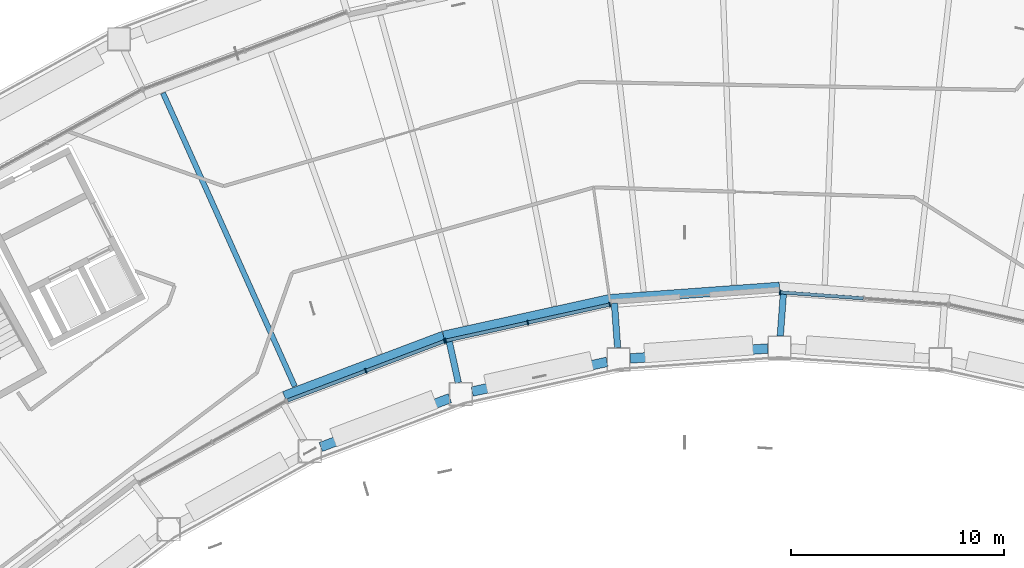
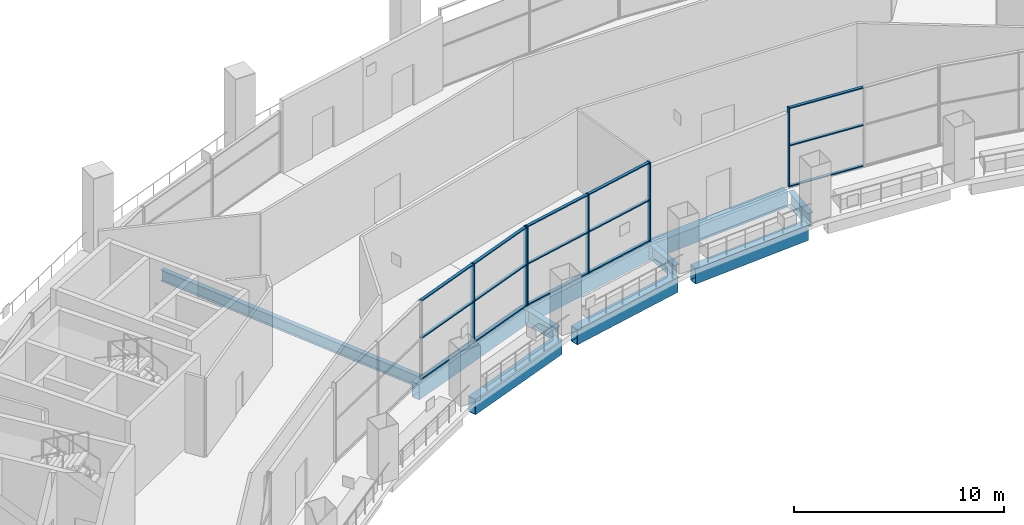
# One storey, part 4 of 28: 21 members, 10 beams, 3 elements without a shape of their own.
"""IFC4 building model written with IfcOpenShell, lengths in metres."""

import ifcopenshell
import ifcopenshell.guid

model = None  # the IFC model being written
_history = None  # IfcOwnerHistory: only IFC2X3 demands one
_inside = {}  # id of a spatial element -> (the spatial element, [elements in it])
_under = {}  # id of a project, library or spatial element -> (it, [spatial elements below it])
_declared = {}  # id of a project -> (the project, [libraries it declares])
_typed = {}  # id of a type object -> (the type object, [elements of that type])
_made_of = {}  # id of a material, layer set ... -> (it, [elements and type objects made of it])


def new_model(schema):
    """Start an empty IFC model of exactly this schema.

    Asked for "IFC4X3", IfcOpenShell would pick the latest addendum, in which some entities
    have other attributes; the version numbers below select the first issue.
    IFC2X3 requires an IfcOwnerHistory on every rooted entity: one is made here for all.
    """
    global model, _history
    if schema == "IFC4X3":
        model = ifcopenshell.file(schema_version=(4, 3, 0, 0))
    else:
        model = ifcopenshell.file(schema=schema)
    _inside.clear()
    _under.clear()
    _declared.clear()
    _typed.clear()
    _made_of.clear()
    _history = None
    if model.schema == "IFC2X3":
        org = make("IfcOrganization", Name="unknown")
        user = make(
            "IfcPersonAndOrganization",
            ThePerson=make("IfcPerson", FamilyName="unknown"),
            TheOrganization=org,
        )
        app = make(
            "IfcApplication",
            ApplicationDeveloper=org,
            Version="unknown",
            ApplicationFullName="unknown",
            ApplicationIdentifier="unknown",
        )
        _history = make(
            "IfcOwnerHistory",
            OwningUser=user,
            OwningApplication=app,
            ChangeAction="ADDED",
            CreationDate=0,
        )
    return model


def make(cls, **values):
    """One entity of the class cls with the attributes given. An attribute that is None is left unset."""
    return model.create_entity(
        cls, **{name: value for name, value in values.items() if value is not None}
    )


def rooted(cls, **values):
    """An entity with a GlobalId (a new one), such as an element, a storey or a relation."""
    return make(cls, GlobalId=ifcopenshell.guid.new(), OwnerHistory=_history, **values)


def si_unit(unit_type, name, prefix=None):
    """IfcSIUnit, for example si_unit("LENGTHUNIT", "METRE", prefix="MILLI")."""
    return make("IfcSIUnit", UnitType=unit_type, Prefix=prefix, Name=name)


def assignment(units):
    """IfcUnitAssignment: the units of a project."""
    return None if units is None else make("IfcUnitAssignment", Units=units)


def point(xyz):
    """IfcCartesianPoint."""
    return None if xyz is None else make("IfcCartesianPoint", Coordinates=xyz)


def direction(xyz):
    """IfcDirection."""
    return None if xyz is None else make("IfcDirection", DirectionRatios=xyz)


def frame(location, z_axis=None, x_axis=None):
    """IfcAxis2Placement3D, a coordinate frame: its origin and axes. An axis left out is left unset."""
    return make(
        "IfcAxis2Placement3D",
        Location=point(location),
        Axis=direction(z_axis),
        RefDirection=direction(x_axis),
    )


def frame_2d(location, x_axis=None):
    """IfcAxis2Placement2D, a coordinate frame in the plane: its origin and x axis."""
    return make(
        "IfcAxis2Placement2D", Location=point(location), RefDirection=direction(x_axis)
    )


def origin():
    """The frame at (0, 0, 0) with its axes left unset."""
    return frame((0.0, 0.0, 0.0))


def origin_2d():
    """The frame at (0, 0) in the plane with its x axis left unset."""
    return frame_2d((0.0, 0.0))


def place(relative_to, where):
    """IfcLocalPlacement: puts the frame where relative to a parent placement (None: the world)."""
    return make(
        "IfcLocalPlacement", PlacementRelTo=relative_to, RelativePlacement=where
    )


def context(
    kind, dimensions, precision=None, world=None, true_north=None, identifier=None
):
    """IfcGeometricRepresentationContext, for example the 3D "Model" context."""
    return make(
        "IfcGeometricRepresentationContext",
        ContextIdentifier=identifier,
        ContextType=kind,
        CoordinateSpaceDimension=dimensions,
        Precision=precision,
        WorldCoordinateSystem=world,
        TrueNorth=true_north,
    )


def subcontext(parent, identifier, kind, view, scale=None):
    """IfcGeometricRepresentationSubContext, for example "Body" below "Model"."""
    return make(
        "IfcGeometricRepresentationSubContext",
        ContextIdentifier=identifier,
        ContextType=kind,
        ParentContext=parent,
        TargetScale=scale,
        TargetView=view,
    )


def project(units=None, contexts=None):
    """IfcProject with its units and contexts."""
    return rooted(
        "IfcProject",
        Name="project",
        RepresentationContexts=contexts,
        UnitsInContext=assignment(units),
    )


def spatial(cls, under=None, at=None, **own):
    """A site, building, storey or space (cls), placed at a placement, below another one or the project."""
    s = rooted(cls, ObjectPlacement=at, **own)
    if under is not None:
        _under.setdefault(under.id(), (under, []))[1].append(s)
    return s


def profile(cls, at=None, kind="AREA", **sizes):
    """A parametric profile (cls). Its sizes go by their IFC names, for example OverallWidth=200.0."""
    return make(cls, ProfileType=kind, Position=at, **sizes)


def rectangle(**sizes):
    """IfcRectangleProfileDef."""
    return profile("IfcRectangleProfileDef", **sizes)


def hollow_rectangle(**sizes):
    """IfcRectangleHollowProfileDef."""
    return profile("IfcRectangleHollowProfileDef", **sizes)


def i_section(**sizes):
    """IfcIShapeProfileDef."""
    return profile("IfcIShapeProfileDef", **sizes)


def extrude(swept, where, along, depth):
    """IfcExtrudedAreaSolid: the profile swept, set in the frame where, extruded along a direction by depth."""
    return make(
        "IfcExtrudedAreaSolid",
        SweptArea=swept,
        Position=where,
        ExtrudedDirection=direction(along),
        Depth=depth,
    )


def shape(context_of_items, identifier, shape_type, items):
    """IfcShapeRepresentation: the items that make up one representation, for example the "Body"."""
    return make(
        "IfcShapeRepresentation",
        ContextOfItems=context_of_items,
        RepresentationIdentifier=identifier,
        RepresentationType=shape_type,
        Items=items,
    )


def material(Name=None, Category=None):
    """IfcMaterial."""
    return make("IfcMaterial", Name=Name, Category=Category)


def layer(
    of_material, thickness, ventilated=None, Name=None, Category=None, Priority=None
):
    """IfcMaterialLayer: one layer of a wall or slab, of a material (None: an air gap)."""
    return make(
        "IfcMaterialLayer",
        Material=of_material,
        LayerThickness=thickness,
        IsVentilated=ventilated,
        Name=Name,
        Category=Category,
        Priority=Priority,
    )


def layer_set(layers, Name=None):
    """IfcMaterialLayerSet."""
    return make("IfcMaterialLayerSet", MaterialLayers=layers, LayerSetName=Name)


def material_profile(
    of_material, cross_section, Name=None, Category=None, Priority=None
):
    """IfcMaterialProfile: a cross section and its material."""
    return make(
        "IfcMaterialProfile",
        Name=Name,
        Material=of_material,
        Profile=cross_section,
        Priority=Priority,
        Category=Category,
    )


def profile_set(profiles, Name=None, composite=None):
    """IfcMaterialProfileSet."""
    return make(
        "IfcMaterialProfileSet",
        Name=Name,
        MaterialProfiles=profiles,
        CompositeProfile=composite,
    )


def made_of(thing, what):
    """Note that an element or type object is made of a material, layer set ...; save() writes the relation."""
    if what is not None:
        _made_of.setdefault(what.id(), (what, []))[1].append(thing)
    return thing


def type_object(cls, material=None, **own):
    """A type object (cls), such as IfcWallType, which elements share."""
    return made_of(rooted(cls, **own), material)


def element(
    cls,
    number,
    at=None,
    inside=None,
    cuts=None,
    type_object=None,
    material=None,
    context=None,
    identifier="Body",
    shape_type=None,
    held_by="IfcProductDefinitionShape",
    body=None,
    shapes=None,
    **own,
):
    """One element of the class cls, such as IfcWall. Its Tag is "e" and its number.

    at: its placement. inside: the storey or other place that contains it. cuts: it is an
    opening in that element (IfcRelVoidsElement). A single representation is given by context,
    identifier, shape_type and body (its items); several are given by shapes. held_by: the class
    of the entity that holds the representations. save() writes the other relations.
    """
    e = rooted(cls, Tag="e%d" % number, ObjectPlacement=at, **own)
    if body is not None:
        shapes = [shape(context, identifier, shape_type, body)]
    if shapes is not None:
        e.Representation = make(held_by, Representations=shapes)
    if inside is not None:
        _inside.setdefault(inside.id(), (inside, []))[1].append(e)
    if cuts is not None:
        rooted(
            "IfcRelVoidsElement", RelatingBuildingElement=cuts, RelatedOpeningElement=e
        )
    if type_object is not None:
        _typed.setdefault(type_object.id(), (type_object, []))[1].append(e)
    return made_of(e, material)


def aggregate(whole, parts):
    """IfcRelAggregates: a whole, such as a stair, and the parts it consists of."""
    return rooted("IfcRelAggregates", RelatingObject=whole, RelatedObjects=parts)


def save(model, path):
    """Write the relations noted so far, then the file.

    IfcRelAggregates (storeys below a building ...), IfcRelContainedInSpatialStructure (elements
    in a storey), IfcRelDefinesByType, IfcRelAssociatesMaterial and IfcRelDeclares: one each for
    every whole, place, type object, material and project.
    """
    for whole, parts in _under.values():
        aggregate(whole, parts)
    for where, things in _inside.values():
        rooted(
            "IfcRelContainedInSpatialStructure",
            RelatedElements=things,
            RelatingStructure=where,
        )
    for kind, things in _typed.values():
        rooted("IfcRelDefinesByType", RelatedObjects=things, RelatingType=kind)
    for what, things in _made_of.values():
        rooted("IfcRelAssociatesMaterial", RelatedObjects=things, RelatingMaterial=what)
    for by, libraries in _declared.values():
        rooted("IfcRelDeclares", RelatingContext=by, RelatedDefinitions=libraries)
    model.write(path)


model = new_model("IFC4")

# Units and contexts
model_context = context("Model", 3, precision=1e-05, world=origin(), true_north=direction((0.0, 1.0)))
body_context = subcontext(model_context, "Body", "Model", "MODEL_VIEW")
ifc_project = project(units=[si_unit("LENGTHUNIT", "METRE"), si_unit("AREAUNIT", "SQUARE_METRE"), si_unit("VOLUMEUNIT", "CUBIC_METRE"), si_unit("PLANEANGLEUNIT", "RADIAN"), si_unit("MASSUNIT", "GRAM", prefix="KILO")], contexts=[model_context])

# Site, building, storey
site_placement = place(None, origin())
site = spatial("IfcSite", under=ifc_project, at=site_placement, CompositionType="ELEMENT")
building_placement = place(site_placement, origin())
building = spatial("IfcBuilding", under=site, at=building_placement, Name="Tuul Gate Civic Tower", CompositionType="ELEMENT")
storey_placement = place(building_placement, frame((0.0, 0.0, 128.699951171875)))
storey = spatial("IfcBuildingStorey", under=building, at=storey_placement, Name="Sky garden level 1", CompositionType="ELEMENT", Elevation=128.699951171875)

# Curtain wall, members
ifc_material_1 = material(Name="Aluminium", Category="aluminium")
ifc_layer = layer(ifc_material_1, 0.199951171875)
ifc_layer_set = layer_set([ifc_layer], Name="Aluminium")
curtain_wall_type = type_object("IfcCurtainWallType", Name="Curtain wall CW3", PredefinedType="NOTDEFINED", material=ifc_layer_set)
curtain_wall_1_placement = place(storey_placement, origin())
curtain_wall_1 = element("IfcCurtainWall", 1, at=curtain_wall_1_placement, inside=storey, type_object=curtain_wall_type, Name="Curtain wall CW3", PredefinedType="NOTDEFINED")
ifc_material_2 = material(Name="Aluminium", Category="aluminium")
ifc_material_profile_1 = material_profile(ifc_material_2, rectangle(XDim=0.219970703125, YDim=0.06005859375, at=origin_2d()), Name="CW3 mullion")
ifc_profile_set_1 = profile_set([ifc_material_profile_1], Name="Aluminium")
member_type_1 = type_object("IfcMemberType", Name="CW3 mullion", PredefinedType="MULLION", material=ifc_profile_set_1)
member_1_placement = place(storey_placement, frame((-9.626953125, -8.762451171875, 0.0), z_axis=(0.0, 0.0, 1.0), x_axis=(-0.353734858569, 0.935345738127, 0.0)))
member_1 = element("IfcMember", 2, at=member_1_placement, type_object=member_type_1, Name="Mullion", PredefinedType="MULLION", context=body_context, shape_type="SweptSolid", body=[
    extrude(rectangle(XDim=0.219970703125, YDim=0.06005859375, at=origin_2d()), origin(), (0.0, 0.0, 1.0), 4.60009765625),
])
member_2_placement = place(storey_placement, frame((-5.927978515625, -7.363525390625, 0.0), z_axis=(0.0, 0.0, 1.0), x_axis=(-0.353734858569, 0.935345738127, 0.0)))
member_2 = element("IfcMember", 3, at=member_2_placement, type_object=member_type_1, Name="Mullion", PredefinedType="MULLION", context=body_context, shape_type="SweptSolid", body=[
    extrude(rectangle(XDim=0.219970703125, YDim=0.06005859375, at=origin_2d()), origin(), (0.0, 0.0, 1.0), 4.60009765625),
])

curtain_wall_2_placement = place(storey_placement, origin())
curtain_wall_2 = element("IfcCurtainWall", 4, at=curtain_wall_2_placement, inside=storey, type_object=curtain_wall_type, Name="Curtain wall CW3", PredefinedType="NOTDEFINED")
member_3_placement = place(storey_placement, frame((-5.87060546875, -7.346435546875, 0.0), z_axis=(0.0, 0.0, 1.0), x_axis=(-0.215242449721, 0.976560642171, 0.0)))
member_3 = element("IfcMember", 5, at=member_3_placement, type_object=member_type_1, Name="Mullion", PredefinedType="MULLION", context=body_context, shape_type="SweptSolid", body=[
    extrude(rectangle(XDim=0.219970703125, YDim=0.06005859375, at=origin_2d()), origin(), (0.0, 0.0, 1.0), 4.60009765625),
])
member_4_placement = place(storey_placement, frame((-2.009521484375, -6.49560546875, 0.0), z_axis=(0.0, 0.0, 1.0), x_axis=(-0.215242449721, 0.976560642171, 0.0)))
member_4 = element("IfcMember", 6, at=member_4_placement, type_object=member_type_1, Name="Mullion", PredefinedType="MULLION", context=body_context, shape_type="SweptSolid", body=[
    extrude(rectangle(XDim=0.219970703125, YDim=0.06005859375, at=origin_2d()), origin(), (0.0, 0.0, 1.0), 4.60009765625),
])
member_5_placement = place(storey_placement, frame((1.851806640625, -5.64453125, 0.0), z_axis=(0.0, 0.0, 1.0), x_axis=(-0.215242449721, 0.976560642171, 0.0)))
member_5 = element("IfcMember", 7, at=member_5_placement, type_object=member_type_1, Name="Mullion", PredefinedType="MULLION", context=body_context, shape_type="SweptSolid", body=[
    extrude(rectangle(XDim=0.219970703125, YDim=0.06005859375, at=origin_2d()), origin(), (0.0, 0.0, 1.0), 4.60009765625),
])

# Curtain wall, member
curtain_wall_3_placement = place(storey_placement, origin())
curtain_wall_3 = element("IfcCurtainWall", 8, at=curtain_wall_3_placement, inside=storey, type_object=curtain_wall_type, Name="Curtain wall CW3", PredefinedType="NOTDEFINED")
member_6_placement = place(storey_placement, frame((9.85888671875, -5.065185546875, 0.0), z_axis=(0.0, 0.0, 1.0), x_axis=(0.072165694963, 0.997392657117, 0.0)))
member_6 = element("IfcMember", 9, at=member_6_placement, type_object=member_type_1, Name="Mullion", PredefinedType="MULLION", context=body_context, shape_type="SweptSolid", body=[
    extrude(rectangle(XDim=0.219970703125, YDim=0.06005859375, at=origin_2d()), origin(), (0.0, 0.0, 1.0), 4.60009765625),
])

# Member
ifc_material_3 = material(Name="Aluminium", Category="aluminium")
ifc_material_profile_2 = material_profile(ifc_material_3, rectangle(XDim=0.159912109375, YDim=0.06005859375, at=origin_2d()), Name="CW3 transom")
ifc_profile_set_2 = profile_set([ifc_material_profile_2], Name="Aluminium")
member_type_2 = type_object("IfcMemberType", Name="CW3 transom", PredefinedType="USERDEFINED", material=ifc_profile_set_2)
member_7_placement = place(storey_placement, frame((-13.2978515625, -10.15087890625, 0.030029296875), z_axis=(0.935344004623, 0.353739442268, 0.0), x_axis=(-0.353739442268, 0.935344004623, 0.0)))
member_7 = element("IfcMember", 10, at=member_7_placement, type_object=member_type_2, Name="Transom", ObjectType="TRANSOM", PredefinedType="USERDEFINED", context=body_context, shape_type="SweptSolid", body=[
    extrude(rectangle(XDim=0.159912109375, YDim=0.06005859375, at=origin_2d()), origin(), (0.0, 0.0, 1.0), 3.89453125),
])

member_8_placement = place(storey_placement, frame((-13.2978515625, -10.15087890625, 2.400146484375), z_axis=(0.935344004623, 0.353739442268, 0.0), x_axis=(-0.353739442268, 0.935344004623, 0.0)))
member_8 = element("IfcMember", 11, at=member_8_placement, type_object=member_type_2, Name="Transom", ObjectType="TRANSOM", PredefinedType="USERDEFINED", context=body_context, shape_type="SweptSolid", body=[
    extrude(rectangle(XDim=0.159912109375, YDim=0.06005859375, at=origin_2d()), origin(), (0.0, 0.0, 1.0), 3.89453125),
])

member_9_placement = place(storey_placement, frame((-13.2978515625, -10.15087890625, 4.570068359375), z_axis=(0.935344004623, 0.353739442268, 0.0), x_axis=(-0.353739442268, 0.935344004623, 0.0)))
member_9 = element("IfcMember", 12, at=member_9_placement, type_object=member_type_2, Name="Transom", ObjectType="TRANSOM", PredefinedType="USERDEFINED", context=body_context, shape_type="SweptSolid", body=[
    extrude(rectangle(XDim=0.159912109375, YDim=0.06005859375, at=origin_2d()), origin(), (0.0, 0.0, 1.0), 3.89453125),
])

member_10_placement = place(storey_placement, frame((-9.598876953125, -8.751953125, 0.030029296875), z_axis=(0.935344004623, 0.353739442268, 0.0), x_axis=(-0.353739442268, 0.935344004623, 0.0)))
member_10 = element("IfcMember", 13, at=member_10_placement, type_object=member_type_2, Name="Transom", ObjectType="TRANSOM", PredefinedType="USERDEFINED", context=body_context, shape_type="SweptSolid", body=[
    extrude(rectangle(XDim=0.159912109375, YDim=0.06005859375, at=origin_2d()), origin(), (0.0, 0.0, 1.0), 3.89453125),
])

member_11_placement = place(storey_placement, frame((-9.598876953125, -8.751953125, 2.400146484375), z_axis=(0.935344004623, 0.353739442268, 0.0), x_axis=(-0.353739442268, 0.935344004623, 0.0)))
member_11 = element("IfcMember", 14, at=member_11_placement, type_object=member_type_2, Name="Transom", ObjectType="TRANSOM", PredefinedType="USERDEFINED", context=body_context, shape_type="SweptSolid", body=[
    extrude(rectangle(XDim=0.159912109375, YDim=0.06005859375, at=origin_2d()), origin(), (0.0, 0.0, 1.0), 3.89453125),
])

member_12_placement = place(storey_placement, frame((-9.598876953125, -8.751953125, 4.570068359375), z_axis=(0.935344004623, 0.353739442268, 0.0), x_axis=(-0.353739442268, 0.935344004623, 0.0)))
member_12 = element("IfcMember", 15, at=member_12_placement, type_object=member_type_2, Name="Transom", ObjectType="TRANSOM", PredefinedType="USERDEFINED", context=body_context, shape_type="SweptSolid", body=[
    extrude(rectangle(XDim=0.159912109375, YDim=0.06005859375, at=origin_2d()), origin(), (0.0, 0.0, 1.0), 3.89453125),
])

aggregate(curtain_wall_1, [member_1, member_2, member_7, member_8, member_9, member_10, member_11, member_12])

member_13_placement = place(storey_placement, frame((-5.84130859375, -7.340087890625, 0.030029296875), z_axis=(0.976558867035, 0.215250503405, 0.0), x_axis=(-0.215250503405, 0.976558867035, 0.0)))
member_13 = element("IfcMember", 16, at=member_13_placement, type_object=member_type_2, Name="Transom", ObjectType="TRANSOM", PredefinedType="USERDEFINED", context=body_context, shape_type="SweptSolid", body=[
    extrude(rectangle(XDim=0.159912109375, YDim=0.06005859375, at=origin_2d()), origin(), (0.0, 0.0, 1.0), 3.893798828125),
])

member_14_placement = place(storey_placement, frame((-5.84130859375, -7.340087890625, 2.400146484375), z_axis=(0.976558867035, 0.215250503405, 0.0), x_axis=(-0.215250503405, 0.976558867035, 0.0)))
member_14 = element("IfcMember", 17, at=member_14_placement, type_object=member_type_2, Name="Transom", ObjectType="TRANSOM", PredefinedType="USERDEFINED", context=body_context, shape_type="SweptSolid", body=[
    extrude(rectangle(XDim=0.159912109375, YDim=0.06005859375, at=origin_2d()), origin(), (0.0, 0.0, 1.0), 3.893798828125),
])

member_15_placement = place(storey_placement, frame((-5.84130859375, -7.340087890625, 4.570068359375), z_axis=(0.976558867035, 0.215250503405, 0.0), x_axis=(-0.215250503405, 0.976558867035, 0.0)))
member_15 = element("IfcMember", 18, at=member_15_placement, type_object=member_type_2, Name="Transom", ObjectType="TRANSOM", PredefinedType="USERDEFINED", context=body_context, shape_type="SweptSolid", body=[
    extrude(rectangle(XDim=0.159912109375, YDim=0.06005859375, at=origin_2d()), origin(), (0.0, 0.0, 1.0), 3.893798828125),
])

member_16_placement = place(storey_placement, frame((-1.980224609375, -6.489013671875, 0.030029296875), z_axis=(0.976561771852, 0.215237324266, 0.0), x_axis=(-0.215237324266, 0.976561771852, 0.0)))
member_16 = element("IfcMember", 19, at=member_16_placement, type_object=member_type_2, Name="Transom", ObjectType="TRANSOM", PredefinedType="USERDEFINED", context=body_context, shape_type="SweptSolid", body=[
    extrude(rectangle(XDim=0.159912109375, YDim=0.06005859375, at=origin_2d()), origin(), (0.0, 0.0, 1.0), 3.89404296875),
])

member_17_placement = place(storey_placement, frame((-1.980224609375, -6.489013671875, 2.400146484375), z_axis=(0.976561771852, 0.215237324266, 0.0), x_axis=(-0.215237324266, 0.976561771852, 0.0)))
member_17 = element("IfcMember", 20, at=member_17_placement, type_object=member_type_2, Name="Transom", ObjectType="TRANSOM", PredefinedType="USERDEFINED", context=body_context, shape_type="SweptSolid", body=[
    extrude(rectangle(XDim=0.159912109375, YDim=0.06005859375, at=origin_2d()), origin(), (0.0, 0.0, 1.0), 3.89404296875),
])

member_18_placement = place(storey_placement, frame((-1.980224609375, -6.489013671875, 4.570068359375), z_axis=(0.976561771852, 0.215237324266, 0.0), x_axis=(-0.215237324266, 0.976561771852, 0.0)))
member_18 = element("IfcMember", 21, at=member_18_placement, type_object=member_type_2, Name="Transom", ObjectType="TRANSOM", PredefinedType="USERDEFINED", context=body_context, shape_type="SweptSolid", body=[
    extrude(rectangle(XDim=0.159912109375, YDim=0.06005859375, at=origin_2d()), origin(), (0.0, 0.0, 1.0), 3.89404296875),
])

aggregate(curtain_wall_2, [member_3, member_4, member_5, member_13, member_14, member_15, member_16, member_17, member_18])

member_19_placement = place(storey_placement, frame((9.888916015625, -5.0673828125, 0.030029296875), z_axis=(0.997392389062, -0.072169399623, 0.0), x_axis=(0.072169399623, 0.997392389062, 0.0)))
member_19 = element("IfcMember", 22, at=member_19_placement, type_object=member_type_2, Name="Transom", ObjectType="TRANSOM", PredefinedType="USERDEFINED", context=body_context, shape_type="SweptSolid", body=[
    extrude(rectangle(XDim=0.159912109375, YDim=0.06005859375, at=origin_2d()), origin(), (0.0, 0.0, 1.0), 3.893798828125),
])

member_20_placement = place(storey_placement, frame((9.888916015625, -5.0673828125, 2.400146484375), z_axis=(0.997392389062, -0.072169399623, 0.0), x_axis=(0.072169399623, 0.997392389062, 0.0)))
member_20 = element("IfcMember", 23, at=member_20_placement, type_object=member_type_2, Name="Transom", ObjectType="TRANSOM", PredefinedType="USERDEFINED", context=body_context, shape_type="SweptSolid", body=[
    extrude(rectangle(XDim=0.159912109375, YDim=0.06005859375, at=origin_2d()), origin(), (0.0, 0.0, 1.0), 3.893798828125),
])

member_21_placement = place(storey_placement, frame((9.888916015625, -5.0673828125, 4.570068359375), z_axis=(0.997392389062, -0.072169399623, 0.0), x_axis=(0.072169399623, 0.997392389062, 0.0)))
member_21 = element("IfcMember", 24, at=member_21_placement, type_object=member_type_2, Name="Transom", ObjectType="TRANSOM", PredefinedType="USERDEFINED", context=body_context, shape_type="SweptSolid", body=[
    extrude(rectangle(XDim=0.159912109375, YDim=0.06005859375, at=origin_2d()), origin(), (0.0, 0.0, 1.0), 3.893798828125),
])

aggregate(curtain_wall_3, [member_6, member_19, member_20, member_21])

# Beams
ifc_material_4 = material(Name="Steel S355", Category="steel")
ifc_material_profile_3 = material_profile(ifc_material_4, i_section(OverallWidth=0.25, OverallDepth=0.64990234375, WebThickness=0.011962890625, FlangeThickness=0.02001953125, at=origin_2d()), Name="PG650x250x12x20")
ifc_profile_set_3 = profile_set([ifc_material_profile_3], Name="Steel S355")
beam_type_1 = type_object("IfcBeamType", Name="STR-FLOOR BEAM-PG650x250x12x20", PredefinedType="BEAM", material=ifc_profile_set_3)
beam_1_placement = place(storey_placement, frame((-12.96484375, -9.489990234375, -0.625), z_axis=(-0.409899577762, 0.91213065739, 0.0), x_axis=(-0.91213065739, -0.409899577762, 0.0)))
element("IfcBeam", 25, at=beam_1_placement, inside=storey, type_object=beam_type_1, Name="Floor beam", PredefinedType="BEAM", context=body_context, shape_type="SweptSolid", body=[
    extrude(i_section(OverallWidth=0.25, OverallDepth=0.64990234375, WebThickness=0.011962890625, FlangeThickness=0.02001953125, at=origin_2d()), origin(), (0.0, 0.0, 1.0), 15.12744140625),
])
ifc_material_5 = material(Name="Steel S355", Category="steel")
ifc_material_profile_4 = material_profile(ifc_material_5, i_section(OverallWidth=0.300048828125, OverallDepth=0.800048828125, WebThickness=0.013916015625, FlangeThickness=0.02490234375, at=origin_2d()), Name="PG800x300x14x25")
ifc_profile_set_4 = profile_set([ifc_material_profile_4], Name="Steel S355")
beam_type_2 = type_object("IfcBeamType", Name="STR-FLOOR BEAM-PG800x300x14x25", PredefinedType="BEAM", material=ifc_profile_set_4)
beam_2_placement = place(storey_placement, frame((-5.275390625, -9.31494140625, -0.699951171875), z_axis=(-0.215121172475, 0.976587364834, 0.0), x_axis=(-0.976587364834, -0.215121172475, 0.0)))
element("IfcBeam", 26, at=beam_2_placement, inside=storey, type_object=beam_type_2, Name="Terrace beam", PredefinedType="BEAM", context=body_context, shape_type="SweptSolid", body=[
    extrude(i_section(OverallWidth=0.300048828125, OverallDepth=0.800048828125, WebThickness=0.013916015625, FlangeThickness=0.02490234375, at=origin_2d()), origin(), (0.0, 0.0, 1.0), 2.1005859375),
])
beam_3_placement = place(storey_placement, frame((2.21728515625, -7.66943359375, -0.699951171875), z_axis=(-0.072188788144, 0.997390985956, 0.0), x_axis=(-0.997390985956, -0.072188788144, 0.0)))
element("IfcBeam", 27, at=beam_3_placement, inside=storey, type_object=beam_type_2, Name="Terrace beam", PredefinedType="BEAM", context=body_context, shape_type="SweptSolid", body=[
    extrude(i_section(OverallWidth=0.300048828125, OverallDepth=0.800048828125, WebThickness=0.013916015625, FlangeThickness=0.02490234375, at=origin_2d()), origin(), (0.0, 0.0, 1.0), 2.10009765625),
])
beam_4_placement = place(storey_placement, frame((9.86865234375, -7.120361328125, -0.699951171875), z_axis=(0.072213906158, 0.997389167656, 0.0), x_axis=(-0.997389167656, 0.072213906158, 0.0)))
element("IfcBeam", 28, at=beam_4_placement, inside=storey, type_object=beam_type_2, Name="Terrace beam", PredefinedType="BEAM", context=body_context, shape_type="SweptSolid", body=[
    extrude(i_section(OverallWidth=0.300048828125, OverallDepth=0.800048828125, WebThickness=0.013916015625, FlangeThickness=0.02490234375, at=origin_2d()), origin(), (0.0, 0.0, 1.0), 2.099365234375),
])
ifc_material_6 = material(Name="Steel S355", Category="steel")
ifc_material_profile_5 = material_profile(ifc_material_6, hollow_rectangle(XDim=0.449951171875, YDim=0.89990234375, WallThickness=0.02490234375, at=origin_2d()), Name="BOX900x450x25")
ifc_profile_set_5 = profile_set([ifc_material_profile_5], Name="Steel S355")
beam_type_3 = type_object("IfcBeamType", Name="STR-SPANDREL BEAM-BOX900x450x25", PredefinedType="BEAM", material=ifc_profile_set_5)
beam_5_placement = place(storey_placement, frame((9.8291015625, -4.81201171875, -0.75), z_axis=(-0.997388554473, -0.072222374686, 0.0), x_axis=(0.072222374686, -0.997388554473, 0.0)))
element("IfcBeam", 29, at=beam_5_placement, inside=storey, type_object=beam_type_3, Name="Spandrel beam", PredefinedType="BEAM", context=body_context, shape_type="SweptSolid", body=[
    extrude(hollow_rectangle(XDim=0.449951171875, YDim=0.89990234375, WallThickness=0.02490234375, at=origin_2d()), origin(), (0.0, 0.0, 1.0), 8.0048828125),
])
beam_6_placement = place(storey_placement, frame((1.84521484375, -5.39013671875, -0.75), z_axis=(-0.976577989902, -0.215163727515, 0.0), x_axis=(0.215163727515, -0.976577989902, 0.0)))
element("IfcBeam", 30, at=beam_6_placement, inside=storey, type_object=beam_type_3, Name="Spandrel beam", PredefinedType="BEAM", context=body_context, shape_type="SweptSolid", body=[
    extrude(hollow_rectangle(XDim=0.449951171875, YDim=0.89990234375, WallThickness=0.02490234375, at=origin_2d()), origin(), (0.0, 0.0, 1.0), 8.005126953125),
])
beam_7_placement = place(storey_placement, frame((-5.972412109375, -7.112548828125, -0.75), z_axis=(-0.935328819153, -0.35377959249, 0.0), x_axis=(0.35377959249, -0.935328819153, 0.0)))
element("IfcBeam", 31, at=beam_7_placement, inside=storey, type_object=beam_type_3, Name="Spandrel beam", PredefinedType="BEAM", context=body_context, shape_type="SweptSolid", body=[
    extrude(hollow_rectangle(XDim=0.449951171875, YDim=0.89990234375, WallThickness=0.02490234375, at=origin_2d()), origin(), (0.0, 0.0, 1.0), 8.003662109375),
])
beam_8_placement = place(storey_placement, frame((-11.74365234375, -12.342529296875, -0.75), z_axis=(0.935373699363, 0.353660914635, 0.0), x_axis=(-0.353660914635, 0.935373699363, 0.0)))
element("IfcBeam", 32, at=beam_8_placement, inside=storey, type_object=beam_type_3, Name="Terrace edge beam", PredefinedType="BEAM", context=body_context, shape_type="SweptSolid", body=[
    extrude(hollow_rectangle(XDim=0.449951171875, YDim=0.89990234375, WallThickness=0.02490234375, at=origin_2d()), origin(), (0.0, 0.0, 1.0), 6.49169921875),
])
for number, where, z_axis, x_axis, name in (
    (33, (-4.619873046875, -9.733642578125, -0.75), (0.976565169857, 0.215221906465, 0.0), (-0.215221906465, 0.976565169857, 0.0), "Terrace edge beam"),
    (34, (2.8056640625, -8.17822265625, -0.75), (0.99738157331, 0.072318719712, 0.0), (-0.072318719712, 0.99738157331, 0.0), "Terrace edge beam"),
):
    element("IfcBeam", number, at=place(storey_placement, frame(where, z_axis=z_axis, x_axis=x_axis)), inside=storey, type_object=beam_type_3, Name=name, PredefinedType="BEAM", context=body_context, shape_type="SweptSolid", body=[
        extrude(hollow_rectangle(XDim=0.449951171875, YDim=0.89990234375, WallThickness=0.02490234375, at=origin_2d()), origin(), (0.0, 0.0, 1.0), 6.491943359375),
    ])

save(model, "model.ifc")
